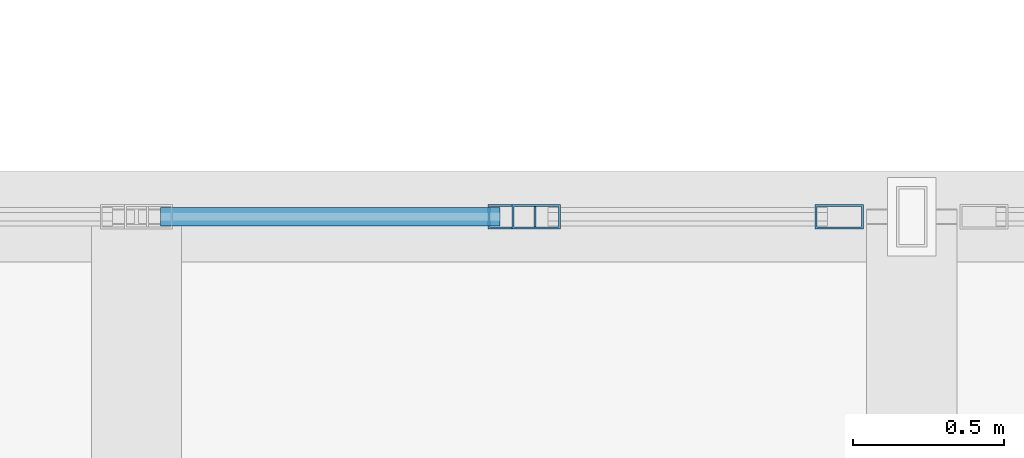
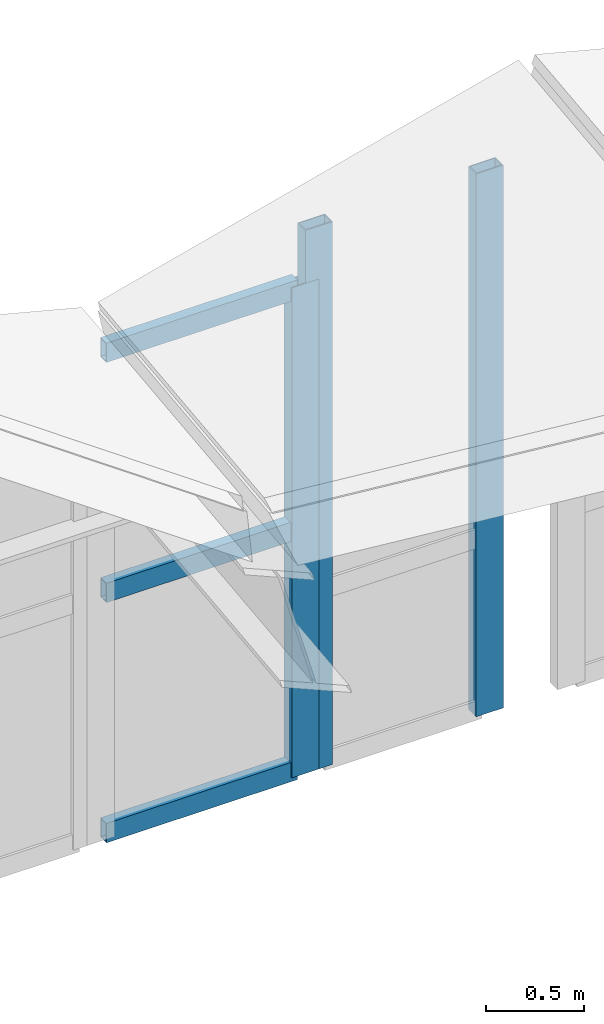
# One storey, part 7 of 39: 6 members, 2 elements without a shape of their own.
"""IFC4 building model written with IfcOpenShell, lengths in metres."""

import ifcopenshell
import ifcopenshell.guid

model = None  # the IFC model being written
_history = None  # IfcOwnerHistory: only IFC2X3 demands one
_inside = {}  # id of a spatial element -> (the spatial element, [elements in it])
_under = {}  # id of a project, library or spatial element -> (it, [spatial elements below it])
_declared = {}  # id of a project -> (the project, [libraries it declares])
_typed = {}  # id of a type object -> (the type object, [elements of that type])
_made_of = {}  # id of a material, layer set ... -> (it, [elements and type objects made of it])


def new_model(schema):
    """Start an empty IFC model of exactly this schema.

    Asked for "IFC4X3", IfcOpenShell would pick the latest addendum, in which some entities
    have other attributes; the version numbers below select the first issue.
    IFC2X3 requires an IfcOwnerHistory on every rooted entity: one is made here for all.
    """
    global model, _history
    if schema == "IFC4X3":
        model = ifcopenshell.file(schema_version=(4, 3, 0, 0))
    else:
        model = ifcopenshell.file(schema=schema)
    _inside.clear()
    _under.clear()
    _declared.clear()
    _typed.clear()
    _made_of.clear()
    _history = None
    if model.schema == "IFC2X3":
        org = make("IfcOrganization", Name="unknown")
        user = make(
            "IfcPersonAndOrganization",
            ThePerson=make("IfcPerson", FamilyName="unknown"),
            TheOrganization=org,
        )
        app = make(
            "IfcApplication",
            ApplicationDeveloper=org,
            Version="unknown",
            ApplicationFullName="unknown",
            ApplicationIdentifier="unknown",
        )
        _history = make(
            "IfcOwnerHistory",
            OwningUser=user,
            OwningApplication=app,
            ChangeAction="ADDED",
            CreationDate=0,
        )
    return model


def make(cls, **values):
    """One entity of the class cls with the attributes given. An attribute that is None is left unset."""
    return model.create_entity(
        cls, **{name: value for name, value in values.items() if value is not None}
    )


def rooted(cls, **values):
    """An entity with a GlobalId (a new one), such as an element, a storey or a relation."""
    return make(cls, GlobalId=ifcopenshell.guid.new(), OwnerHistory=_history, **values)


def si_unit(unit_type, name, prefix=None):
    """IfcSIUnit, for example si_unit("LENGTHUNIT", "METRE", prefix="MILLI")."""
    return make("IfcSIUnit", UnitType=unit_type, Prefix=prefix, Name=name)


def assignment(units):
    """IfcUnitAssignment: the units of a project."""
    return None if units is None else make("IfcUnitAssignment", Units=units)


def point(xyz):
    """IfcCartesianPoint."""
    return None if xyz is None else make("IfcCartesianPoint", Coordinates=xyz)


def direction(xyz):
    """IfcDirection."""
    return None if xyz is None else make("IfcDirection", DirectionRatios=xyz)


def frame(location, z_axis=None, x_axis=None):
    """IfcAxis2Placement3D, a coordinate frame: its origin and axes. An axis left out is left unset."""
    return make(
        "IfcAxis2Placement3D",
        Location=point(location),
        Axis=direction(z_axis),
        RefDirection=direction(x_axis),
    )


def frame_2d(location, x_axis=None):
    """IfcAxis2Placement2D, a coordinate frame in the plane: its origin and x axis."""
    return make(
        "IfcAxis2Placement2D", Location=point(location), RefDirection=direction(x_axis)
    )


def origin():
    """The frame at (0, 0, 0) with its axes left unset."""
    return frame((0.0, 0.0, 0.0))


def origin_2d():
    """The frame at (0, 0) in the plane with its x axis left unset."""
    return frame_2d((0.0, 0.0))


def place(relative_to, where):
    """IfcLocalPlacement: puts the frame where relative to a parent placement (None: the world)."""
    return make(
        "IfcLocalPlacement", PlacementRelTo=relative_to, RelativePlacement=where
    )


def context(
    kind, dimensions, precision=None, world=None, true_north=None, identifier=None
):
    """IfcGeometricRepresentationContext, for example the 3D "Model" context."""
    return make(
        "IfcGeometricRepresentationContext",
        ContextIdentifier=identifier,
        ContextType=kind,
        CoordinateSpaceDimension=dimensions,
        Precision=precision,
        WorldCoordinateSystem=world,
        TrueNorth=true_north,
    )


def subcontext(parent, identifier, kind, view, scale=None):
    """IfcGeometricRepresentationSubContext, for example "Body" below "Model"."""
    return make(
        "IfcGeometricRepresentationSubContext",
        ContextIdentifier=identifier,
        ContextType=kind,
        ParentContext=parent,
        TargetScale=scale,
        TargetView=view,
    )


def project(units=None, contexts=None):
    """IfcProject with its units and contexts."""
    return rooted(
        "IfcProject",
        Name="project",
        RepresentationContexts=contexts,
        UnitsInContext=assignment(units),
    )


def spatial(cls, under=None, at=None, **own):
    """A site, building, storey or space (cls), placed at a placement, below another one or the project."""
    s = rooted(cls, ObjectPlacement=at, **own)
    if under is not None:
        _under.setdefault(under.id(), (under, []))[1].append(s)
    return s


def profile(cls, at=None, kind="AREA", **sizes):
    """A parametric profile (cls). Its sizes go by their IFC names, for example OverallWidth=200.0."""
    return make(cls, ProfileType=kind, Position=at, **sizes)


def hollow_rectangle(**sizes):
    """IfcRectangleHollowProfileDef."""
    return profile("IfcRectangleHollowProfileDef", **sizes)


def extrude(swept, where, along, depth):
    """IfcExtrudedAreaSolid: the profile swept, set in the frame where, extruded along a direction by depth."""
    return make(
        "IfcExtrudedAreaSolid",
        SweptArea=swept,
        Position=where,
        ExtrudedDirection=direction(along),
        Depth=depth,
    )


def shape(context_of_items, identifier, shape_type, items):
    """IfcShapeRepresentation: the items that make up one representation, for example the "Body"."""
    return make(
        "IfcShapeRepresentation",
        ContextOfItems=context_of_items,
        RepresentationIdentifier=identifier,
        RepresentationType=shape_type,
        Items=items,
    )


def material(Name=None, Category=None):
    """IfcMaterial."""
    return make("IfcMaterial", Name=Name, Category=Category)


def layer(
    of_material, thickness, ventilated=None, Name=None, Category=None, Priority=None
):
    """IfcMaterialLayer: one layer of a wall or slab, of a material (None: an air gap)."""
    return make(
        "IfcMaterialLayer",
        Material=of_material,
        LayerThickness=thickness,
        IsVentilated=ventilated,
        Name=Name,
        Category=Category,
        Priority=Priority,
    )


def layer_set(layers, Name=None):
    """IfcMaterialLayerSet."""
    return make("IfcMaterialLayerSet", MaterialLayers=layers, LayerSetName=Name)


def material_profile(
    of_material, cross_section, Name=None, Category=None, Priority=None
):
    """IfcMaterialProfile: a cross section and its material."""
    return make(
        "IfcMaterialProfile",
        Name=Name,
        Material=of_material,
        Profile=cross_section,
        Priority=Priority,
        Category=Category,
    )


def profile_set(profiles, Name=None, composite=None):
    """IfcMaterialProfileSet."""
    return make(
        "IfcMaterialProfileSet",
        Name=Name,
        MaterialProfiles=profiles,
        CompositeProfile=composite,
    )


def made_of(thing, what):
    """Note that an element or type object is made of a material, layer set ...; save() writes the relation."""
    if what is not None:
        _made_of.setdefault(what.id(), (what, []))[1].append(thing)
    return thing


def type_object(cls, material=None, **own):
    """A type object (cls), such as IfcWallType, which elements share."""
    return made_of(rooted(cls, **own), material)


def element(
    cls,
    number,
    at=None,
    inside=None,
    cuts=None,
    type_object=None,
    material=None,
    context=None,
    identifier="Body",
    shape_type=None,
    held_by="IfcProductDefinitionShape",
    body=None,
    shapes=None,
    **own,
):
    """One element of the class cls, such as IfcWall. Its Tag is "e" and its number.

    at: its placement. inside: the storey or other place that contains it. cuts: it is an
    opening in that element (IfcRelVoidsElement). A single representation is given by context,
    identifier, shape_type and body (its items); several are given by shapes. held_by: the class
    of the entity that holds the representations. save() writes the other relations.
    """
    e = rooted(cls, Tag="e%d" % number, ObjectPlacement=at, **own)
    if body is not None:
        shapes = [shape(context, identifier, shape_type, body)]
    if shapes is not None:
        e.Representation = make(held_by, Representations=shapes)
    if inside is not None:
        _inside.setdefault(inside.id(), (inside, []))[1].append(e)
    if cuts is not None:
        rooted(
            "IfcRelVoidsElement", RelatingBuildingElement=cuts, RelatedOpeningElement=e
        )
    if type_object is not None:
        _typed.setdefault(type_object.id(), (type_object, []))[1].append(e)
    return made_of(e, material)


def aggregate(whole, parts):
    """IfcRelAggregates: a whole, such as a stair, and the parts it consists of."""
    return rooted("IfcRelAggregates", RelatingObject=whole, RelatedObjects=parts)


def save(model, path):
    """Write the relations noted so far, then the file.

    IfcRelAggregates (storeys below a building ...), IfcRelContainedInSpatialStructure (elements
    in a storey), IfcRelDefinesByType, IfcRelAssociatesMaterial and IfcRelDeclares: one each for
    every whole, place, type object, material and project.
    """
    for whole, parts in _under.values():
        aggregate(whole, parts)
    for where, things in _inside.values():
        rooted(
            "IfcRelContainedInSpatialStructure",
            RelatedElements=things,
            RelatingStructure=where,
        )
    for kind, things in _typed.values():
        rooted("IfcRelDefinesByType", RelatedObjects=things, RelatingType=kind)
    for what, things in _made_of.values():
        rooted("IfcRelAssociatesMaterial", RelatedObjects=things, RelatingMaterial=what)
    for by, libraries in _declared.values():
        rooted("IfcRelDeclares", RelatingContext=by, RelatedDefinitions=libraries)
    model.write(path)


model = new_model("IFC4")

# Units and contexts
model_context = context("Model", 3, precision=1e-05, world=origin(), true_north=direction((0.0, 1.0)))
body_context = subcontext(model_context, "Body", "Model", "MODEL_VIEW")
ifc_project = project(units=[si_unit("LENGTHUNIT", "METRE"), si_unit("AREAUNIT", "SQUARE_METRE"), si_unit("VOLUMEUNIT", "CUBIC_METRE"), si_unit("PLANEANGLEUNIT", "RADIAN"), si_unit("MASSUNIT", "GRAM", prefix="KILO"), si_unit("THERMODYNAMICTEMPERATUREUNIT", "KELVIN"), si_unit("POWERUNIT", "WATT")], contexts=[model_context])

# Site, building, storey
site_placement = place(None, origin())
site = spatial("IfcSite", under=ifc_project, at=site_placement, CompositionType="ELEMENT")
building_placement = place(site_placement, origin())
building = spatial("IfcBuilding", under=site, at=building_placement, Name="Kaldorven Railside Theatre", CompositionType="ELEMENT")
storey_placement = place(building_placement, frame((0.0, 0.0, 27.300048828125)))
storey = spatial("IfcBuildingStorey", under=building, at=storey_placement, Name="ROOF", CompositionType="ELEMENT", Elevation=27.300048828125)

# Curtain wall, member
ifc_material_1 = material(Name="Low-E laminated solar-control glass", Category="glass")
ifc_layer_1 = layer(ifc_material_1, 0.159912109375, Name="Low-E laminated solar-control glass")
ifc_layer_set_1 = layer_set([ifc_layer_1], Name="Low-E laminated solar-control glass")
curtain_wall_type_1 = type_object("IfcCurtainWallType", Name="CWT-49", PredefinedType="USERDEFINED", material=ifc_layer_set_1)
curtain_wall_1_placement = place(storey_placement, origin())
curtain_wall_1 = element("IfcCurtainWall", 1, at=curtain_wall_1_placement, inside=storey, type_object=curtain_wall_type_1, Name="Fly-Tower North Crown Clerestory CWG-075", ObjectType="FLUTED GLAZING", PredefinedType="USERDEFINED")
ifc_material_2 = material(Name="Anodised bronze aluminium", Category="aluminium")
ifc_material_profile_1 = material_profile(ifc_material_2, hollow_rectangle(XDim=0.080078125, YDim=0.159912109375, WallThickness=0.00634765625, at=origin_2d()), Name="RHS 160x80x6.3")
ifc_profile_set_1 = profile_set([ifc_material_profile_1], Name="Anodised bronze aluminium")
member_type_1 = type_object("IfcMemberType", Name="CWM-160", PredefinedType="MULLION", material=ifc_profile_set_1)
member_1_placement = place(storey_placement, frame((103.874267578125, 112.800048828125, 0.02001953125), z_axis=(0.0, 0.0, 1.0), x_axis=(0.0, 1.0, 0.0)))
member_1 = element("IfcMember", 2, at=member_1_placement, type_object=member_type_1, Name="CWG-075 mullion 2", PredefinedType="MULLION", context=body_context, shape_type="SweptSolid", body=[
    extrude(hollow_rectangle(XDim=0.080078125, YDim=0.159912109375, WallThickness=0.00634765625, at=origin_2d()), origin(), (0.0, 0.0, 1.0), 3.050048828125),
])

# Curtain wall, members
ifc_layer_2 = layer(ifc_material_1, 0.159912109375, Name="Low-E laminated solar-control glass")
ifc_layer_set_2 = layer_set([ifc_layer_2], Name="Low-E laminated solar-control glass")
curtain_wall_type_2 = type_object("IfcCurtainWallType", Name="CWT-48", PredefinedType="USERDEFINED", material=ifc_layer_set_2)
curtain_wall_2_placement = place(storey_placement, origin())
curtain_wall_2 = element("IfcCurtainWall", 3, at=curtain_wall_2_placement, inside=storey, type_object=curtain_wall_type_2, Name="Fly-Tower North Crown Clerestory CWG-076", ObjectType="FLUTED GLAZING", PredefinedType="USERDEFINED")
member_2_placement = place(storey_placement, frame((103.954345703125, 112.800048828125, 0.02001953125), z_axis=(0.0, 0.0, 1.0), x_axis=(0.0, 1.0, 0.0)))
member_2 = element("IfcMember", 4, at=member_2_placement, type_object=member_type_1, Name="CWG-076 mullion 1", PredefinedType="MULLION", context=body_context, shape_type="SweptSolid", body=[
    extrude(hollow_rectangle(XDim=0.080078125, YDim=0.159912109375, WallThickness=0.00634765625, at=origin_2d()), origin(), (0.0, 0.0, 1.0), 3.3798828125),
])
member_3_placement = place(storey_placement, frame((104.9599609375, 112.800048828125, 0.02001953125), z_axis=(0.0, 0.0, 1.0), x_axis=(0.0, 1.0, 0.0)))
member_3 = element("IfcMember", 5, at=member_3_placement, type_object=member_type_1, Name="CWG-076 mullion 2", PredefinedType="MULLION", context=body_context, shape_type="SweptSolid", body=[
    extrude(hollow_rectangle(XDim=0.080078125, YDim=0.159912109375, WallThickness=0.00634765625, at=origin_2d()), origin(), (0.0, 0.0, 1.0), 3.3798828125),
])
aggregate(curtain_wall_2, [member_2, member_3])

# Member
ifc_material_profile_2 = material_profile(ifc_material_2, hollow_rectangle(XDim=0.06005859375, YDim=0.1201171875, WallThickness=0.0048828125, at=origin_2d()), Name="RHS 120x60x5")
ifc_profile_set_2 = profile_set([ifc_material_profile_2], Name="Anodised bronze aluminium")
member_type_2 = type_object("IfcMemberType", Name="CWT-120", PredefinedType="USERDEFINED", material=ifc_profile_set_2)
member_4_placement = place(storey_placement, frame((102.70849609375, 112.800048828125, 0.050048828125), z_axis=(1.0, 0.0, 0.0), x_axis=(0.0, 1.0, 0.0)))
member_4 = element("IfcMember", 6, at=member_4_placement, type_object=member_type_2, Name="CWG-075 transom 1.1", ObjectType="TRANSOM", PredefinedType="USERDEFINED", context=body_context, shape_type="SweptSolid", body=[
    extrude(hollow_rectangle(XDim=0.06005859375, YDim=0.1201171875, WallThickness=0.0048828125, at=origin_2d()), origin(), (0.0, 0.0, 1.0), 1.125732421875),
])

member_5_placement = place(storey_placement, frame((102.70849609375, 112.800048828125, 1.544921875), z_axis=(1.0, 0.0, 0.0), x_axis=(0.0, 1.0, 0.0)))
member_5 = element("IfcMember", 7, at=member_5_placement, type_object=member_type_2, Name="CWG-075 transom 1.2", ObjectType="TRANSOM", PredefinedType="USERDEFINED", context=body_context, shape_type="SweptSolid", body=[
    extrude(hollow_rectangle(XDim=0.06005859375, YDim=0.1201171875, WallThickness=0.0048828125, at=origin_2d()), origin(), (0.0, 0.0, 1.0), 1.125732421875),
])

member_6_placement = place(storey_placement, frame((102.70849609375, 112.800048828125, 3.0400390625), z_axis=(1.0, 0.0, 0.0), x_axis=(0.0, 1.0, 0.0)))
member_6 = element("IfcMember", 8, at=member_6_placement, type_object=member_type_2, Name="CWG-075 transom 1.3", ObjectType="TRANSOM", PredefinedType="USERDEFINED", context=body_context, shape_type="SweptSolid", body=[
    extrude(hollow_rectangle(XDim=0.06005859375, YDim=0.1201171875, WallThickness=0.0048828125, at=origin_2d()), origin(), (0.0, 0.0, 1.0), 1.125732421875),
])

aggregate(curtain_wall_1, [member_1, member_4, member_5, member_6])

save(model, "model.ifc")
